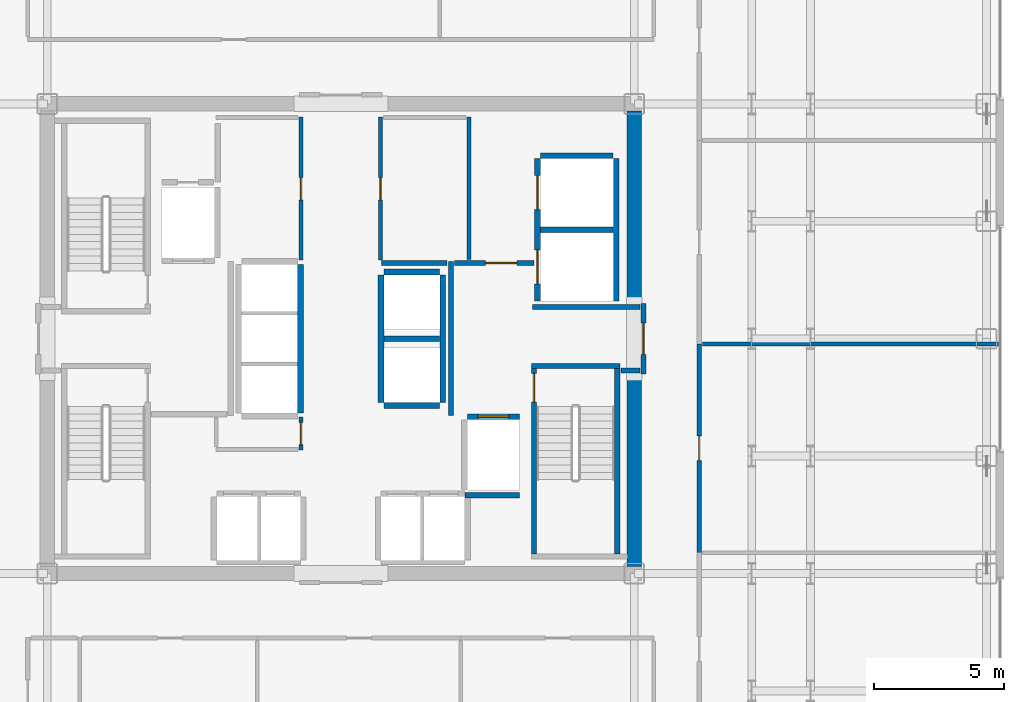
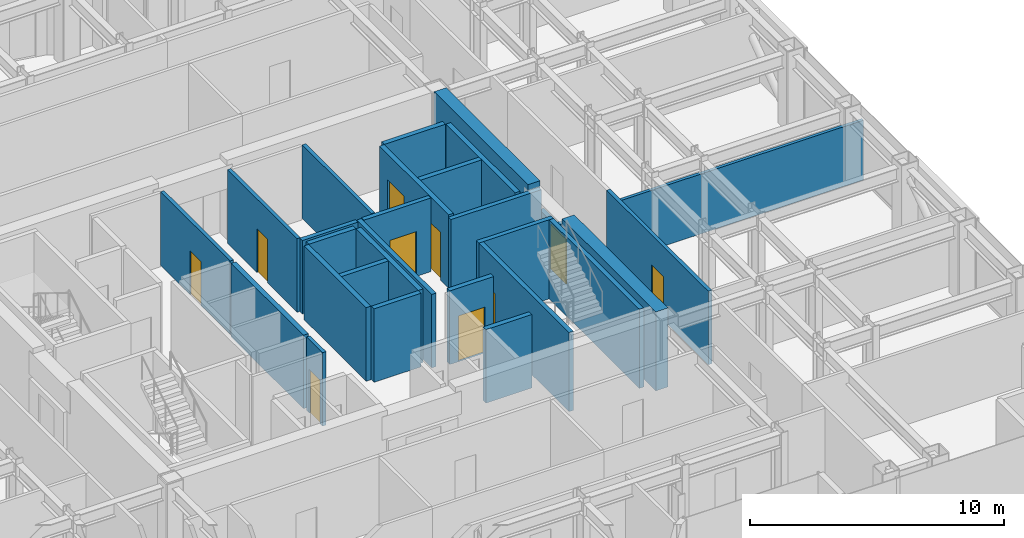
# One storey, part 21 of 25: 29 walls, 10 doors, 10 openings.
"""IFC4 building model written with IfcOpenShell, lengths in metres."""

from ifc_helpers import new_model, si_unit, direction, frame, frame_2d, origin, place, context, subcontext, project, spatial, rectangle, extrude, source, transform, mapped, material, layer, layer_set, type_object, element, fill, save


model = new_model("IFC4")

# Units and contexts
model_context = context("Model", 3, precision=1e-05, world=origin(), true_north=direction((0.0, 1.0)))
body_context = subcontext(model_context, "Body", "Model", "MODEL_VIEW")
ifc_project = project(units=[si_unit("LENGTHUNIT", "METRE"), si_unit("AREAUNIT", "SQUARE_METRE"), si_unit("VOLUMEUNIT", "CUBIC_METRE"), si_unit("PLANEANGLEUNIT", "RADIAN"), si_unit("MASSUNIT", "GRAM", prefix="KILO")], contexts=[model_context])

# Site, building, storey
site_placement = place(None, origin())
site = spatial("IfcSite", under=ifc_project, at=site_placement, CompositionType="ELEMENT")
building_placement = place(site_placement, origin())
building = spatial("IfcBuilding", under=site, at=building_placement, Name="Nefas-Gora Pilgrimage Tower", CompositionType="ELEMENT")
storey_placement = place(building_placement, frame((0.0, 0.0, 194.39990234375)))
storey = spatial("IfcBuildingStorey", under=building, at=storey_placement, Name="L48", CompositionType="ELEMENT", Elevation=194.39990234375)

# Walls
ifc_material_1 = material(Name="Concrete C60/75", Category="concrete")
ifc_layer_1 = layer(ifc_material_1, 0.550048828125)
ifc_layer_set_1 = layer_set([ifc_layer_1], Name="Concrete C60/75")
wall_type_1 = type_object("IfcWallType", Name="SW-CORE-550", PredefinedType="SHEAR", material=ifc_layer_set_1)
shared_shape_1 = source(origin(), body_context, "Body", "SweptSolid", [
    extrude(rectangle(XDim=7.375, YDim=0.550048828125, at=frame_2d((3.6875, 0.0))), origin(), (0.0, 0.0, 1.0), 3.800048828125),
])
for number, where, z_axis, x_axis, name in (
    (1, (11.25, -8.72509765625, 0.0), (0.0, 0.0, 1.0), (0.0, 1.0, 0.0), "L48 Core Shear Wall E-South"),
    (2, (11.25, 1.35009765625, 0.0), (0.0, 0.0, 1.0), (0.0, 1.0, 0.0), "L48 Core Shear Wall E-North"),
):
    element("IfcWall", number, at=place(storey_placement, frame(where, z_axis=z_axis, x_axis=x_axis)), inside=storey, type_object=wall_type_1, Name=name, PredefinedType="SHEAR", context=body_context, shape_type="MappedRepresentation", body=[
        mapped(shared_shape_1, transform((0.0, 0.0, 0.0), x_axis=(1.0, 0.0, 0.0), y_axis=(0.0, 1.0, 0.0), z_axis=(0.0, 0.0, 1.0), scale=1.0)),
    ])
ifc_material_2 = material(Name="Concrete C45/55", Category="concrete")
ifc_layer_2 = layer(ifc_material_2, 0.199951171875)
ifc_layer_set_2 = layer_set([ifc_layer_2], Name="Concrete C45/55")
wall_type_2 = type_object("IfcWallType", Name="IW-STAIR-200", PredefinedType="SOLIDWALL", material=ifc_layer_set_2)
shared_shape_2 = source(origin(), body_context, "Body", "SweptSolid", [
    extrude(rectangle(XDim=3.39990234375, YDim=0.199951171875, at=frame_2d((1.699951171875, 0.0))), origin(), (0.0, 0.0, 1.0), 3.800048828125),
])
wall_1_placement = place(storey_placement, frame((7.300048828125, -1.050048828125, 0.0), z_axis=(0.0, 0.0, 1.0), x_axis=(1.0, 0.0, 0.0)))
element("IfcWall", 3, at=wall_1_placement, inside=storey, type_object=wall_type_2, Name="L48 Stairwell Shear Wall ST-02-near", PredefinedType="SOLIDWALL", context=body_context, shape_type="MappedRepresentation", body=[
    mapped(shared_shape_2, transform((0.0, 0.0, 0.0), x_axis=(1.0, 0.0, 0.0), y_axis=(0.0, 1.0, 0.0), z_axis=(0.0, 0.0, 1.0), scale=1.0)),
])

# Wall, opening, door
shared_shape_3 = source(origin(), body_context, "Body", "SweptSolid", [
    extrude(rectangle(XDim=7.10009765625, YDim=0.199951171875, at=frame_2d((3.550048828125, 0.0))), origin(), (0.0, 0.0, 1.0), 3.800048828125),
])
wall_2_placement = place(storey_placement, frame((7.39990234375, -1.14990234375, 0.0), z_axis=(0.0, 0.0, 1.0), x_axis=(0.0, -1.0, 0.0)))
wall_2 = element("IfcWall", 4, at=wall_2_placement, inside=storey, type_object=wall_type_2, Name="L48 Stairwell Shear Wall ST-02-left", PredefinedType="SOLIDWALL", context=body_context, shape_type="MappedRepresentation", body=[
    mapped(shared_shape_3, transform((0.0, 0.0, 0.0), x_axis=(1.0, 0.0, 0.0), y_axis=(0.0, 1.0, 0.0), z_axis=(0.0, 0.0, 1.0), scale=1.0)),
])
opening_1_placement = place(wall_2_placement, frame((0.179931640625, 0.0, 0.0)))
opening_1 = element("IfcOpeningElement", 5, at=opening_1_placement, cuts=wall_2, Name="Opening ID-ST1", PredefinedType="OPENING", context=body_context, shape_type="SweptSolid", body=[
    extrude(rectangle(XDim=1.10009765625, YDim=2.14990234375, at=frame_2d((0.550048828125, 1.074951171875))), frame((0.0, 0.10986328125, 0.0), z_axis=(0.0, -1.0, 0.0), x_axis=(1.0, 0.0, 0.0)), (0.0, 0.0, 1.0), 0.219970703125),
])
ifc_material_3 = material(Name="Painted galvanised steel fire stair door", Category="steel")
door_type_1 = type_object("IfcDoorType", Name="DR-INT-STAIR-1100", OperationType="NOTDEFINED", PredefinedType="DOOR", material=ifc_material_3)
shared_shape_4 = source(origin(), body_context, "Body", "SweptSolid", [
    extrude(rectangle(XDim=1.10009765625, YDim=2.14990234375, at=frame_2d((0.550048828125, 1.074951171875))), frame((0.0, 0.02490234375, 0.0), z_axis=(0.0, -1.0, 0.0), x_axis=(1.0, 0.0, 0.0)), (0.0, 0.0, 1.0), 0.050048828125),
])
door_1_placement = place(opening_1_placement, origin())
door_1 = element("IfcDoor", 6, at=door_1_placement, inside=storey, type_object=door_type_1, Name="L48 Protected Exit Stair Door ST-02", OperationType="SINGLE_SWING_LEFT", OverallHeight=2.14990234375, OverallWidth=1.10009765625, PredefinedType="DOOR", context=body_context, shape_type="MappedRepresentation", body=[
    mapped(shared_shape_4, transform((0.0, 0.0, 0.0), x_axis=(1.0, 0.0, 0.0), y_axis=(0.0, 1.0, 0.0), z_axis=(0.0, 0.0, 1.0), scale=1.0)),
])
fill(opening_1, door_1)

# Wall
wall_3_placement = place(storey_placement, frame((10.60009765625, -1.14990234375, 0.0), z_axis=(0.0, 0.0, 1.0), x_axis=(0.0, -1.0, 0.0)))
element("IfcWall", 7, at=wall_3_placement, inside=storey, type_object=wall_type_2, Name="L48 Stairwell Shear Wall ST-02-right", PredefinedType="SOLIDWALL", context=body_context, shape_type="MappedRepresentation", body=[
    mapped(shared_shape_3, transform((0.0, 0.0, 0.0), x_axis=(1.0, 0.0, 0.0), y_axis=(0.0, 1.0, 0.0), z_axis=(0.0, 0.0, 1.0), scale=1.0)),
])

# Wall, opening, door
ifc_material_4 = material(Name="Concrete C40/50", Category="concrete")
ifc_layer_3 = layer(ifc_material_4, 0.219970703125)
ifc_layer_set_3 = layer_set([ifc_layer_3], Name="Concrete C40/50")
wall_type_3 = type_object("IfcWallType", Name="IW-SHAFT-220", PredefinedType="SOLIDWALL", material=ifc_layer_set_3)
shared_shape_5 = source(origin(), body_context, "Body", "SweptSolid", [
    extrude(rectangle(XDim=2.0, YDim=0.219970703125, at=frame_2d((1.0, 0.0))), origin(), (0.0, 0.0, 1.0), 3.53515625),
])
wall_4_placement = place(storey_placement, frame((6.85009765625, -2.989990234375, 0.0), z_axis=(0.0, 0.0, 1.0), x_axis=(-1.0, 0.0, 0.0)))
wall_4 = element("IfcWall", 8, at=wall_4_placement, inside=storey, type_object=wall_type_3, Name="L48 Hoistway Wall FFL-02-N", PredefinedType="SOLIDWALL", context=body_context, shape_type="MappedRepresentation", body=[
    mapped(shared_shape_5, transform((0.0, 0.0, 0.0), x_axis=(1.0, 0.0, 0.0), y_axis=(0.0, 1.0, 0.0), z_axis=(0.0, 0.0, 1.0), scale=1.0)),
])
opening_2_placement = place(wall_4_placement, frame((0.39990234375, 0.0, 0.0)))
opening_2 = element("IfcOpeningElement", 9, at=opening_2_placement, cuts=wall_4, Name="Opening LD-FF", PredefinedType="OPENING", context=body_context, shape_type="SweptSolid", body=[
    extrude(rectangle(XDim=1.199951171875, YDim=2.199951171875, at=frame_2d((0.60009765625, 1.10009765625))), frame((0.0, 0.119873046875, 0.0), z_axis=(0.0, -1.0, 0.0), x_axis=(1.0, 0.0, 0.0)), (0.0, 0.0, 1.0), 0.239990234375),
])
ifc_material_5 = material(Name="Fire-service sliding lift landing door")
door_type_2 = type_object("IfcDoorType", Name="DR-LIFT-FSAE-1200", OperationType="SLIDING_TO_LEFT", PredefinedType="DOOR", material=ifc_material_5)
shared_shape_6 = source(origin(), body_context, "Body", "SweptSolid", [
    extrude(rectangle(XDim=1.199951171875, YDim=2.199951171875, at=frame_2d((0.60009765625, 1.10009765625))), frame((0.0, 0.02490234375, 0.0), z_axis=(0.0, -1.0, 0.0), x_axis=(1.0, 0.0, 0.0)), (0.0, 0.0, 1.0), 0.050048828125),
])
door_2_placement = place(opening_2_placement, origin())
door_2 = element("IfcDoor", 10, at=door_2_placement, inside=storey, type_object=door_type_2, Name="L48 Sliding Lift Landing Door FFL-02", OperationType="SLIDING_TO_LEFT", OverallHeight=2.199951171875, OverallWidth=1.199951171875, PredefinedType="DOOR", context=body_context, shape_type="MappedRepresentation", body=[
    mapped(shared_shape_6, transform((0.0, 0.0, 0.0), x_axis=(1.0, 0.0, 0.0), y_axis=(0.0, 1.0, 0.0), z_axis=(0.0, 0.0, 1.0), scale=1.0)),
])
fill(opening_2, door_2)

# Wall, openings, doors
shared_shape_7 = source(origin(), body_context, "Body", "SweptSolid", [
    extrude(rectangle(XDim=5.449951171875, YDim=0.219970703125, at=frame_2d((2.72509765625, 0.0))), origin(), (0.0, 0.0, 1.0), 3.53515625),
])
wall_5_placement = place(storey_placement, frame((7.5400390625, 6.89990234375, 0.0), z_axis=(0.0, 0.0, 1.0), x_axis=(0.0, -1.0, 0.0)))
wall_5 = element("IfcWall", 11, at=wall_5_placement, inside=storey, type_object=wall_type_3, Name="L48 Hoistway Wall SL-01-02-W", PredefinedType="SOLIDWALL", context=body_context, shape_type="MappedRepresentation", body=[
    mapped(shared_shape_7, transform((0.0, 0.0, 0.0), x_axis=(1.0, 0.0, 0.0), y_axis=(0.0, 1.0, 0.0), z_axis=(0.0, 0.0, 1.0), scale=1.0)),
])
opening_3_placement = place(wall_5_placement, frame((3.5, 0.0, 0.0)))
opening_3 = element("IfcOpeningElement", 12, at=opening_3_placement, cuts=wall_5, Name="Opening LD-SV", PredefinedType="OPENING", context=body_context, shape_type="SweptSolid", body=[
    extrude(rectangle(XDim=1.300048828125, YDim=2.300048828125, at=frame_2d((0.64990234375, 1.14990234375))), frame((0.0, 0.119873046875, 0.0), z_axis=(0.0, -1.0, 0.0), x_axis=(1.0, 0.0, 0.0)), (0.0, 0.0, 1.0), 0.239990234375),
])
opening_4_placement = place(wall_5_placement, frame((0.64990234375, 0.0, 0.0)))
opening_4 = element("IfcOpeningElement", 13, at=opening_4_placement, cuts=wall_5, Name="Opening LD-SV", PredefinedType="OPENING", context=body_context, shape_type="SweptSolid", body=[
    extrude(rectangle(XDim=1.300048828125, YDim=2.300048828125, at=frame_2d((0.64990234375, 1.14990234375))), frame((0.0, 0.119873046875, 0.0), z_axis=(0.0, -1.0, 0.0), x_axis=(1.0, 0.0, 0.0)), (0.0, 0.0, 1.0), 0.239990234375),
])
ifc_material_6 = material(Name="Heavy goods sliding lift landing door")
door_type_3 = type_object("IfcDoorType", Name="DR-LIFT-SERV-1300", OperationType="SLIDING_TO_RIGHT", PredefinedType="DOOR", material=ifc_material_6)
shared_shape_8 = source(origin(), body_context, "Body", "SweptSolid", [
    extrude(rectangle(XDim=1.300048828125, YDim=2.300048828125, at=frame_2d((0.64990234375, 1.14990234375))), frame((0.0, 0.02490234375, 0.0), z_axis=(0.0, -1.0, 0.0), x_axis=(1.0, 0.0, 0.0)), (0.0, 0.0, 1.0), 0.050048828125),
])
door_3_placement = place(opening_3_placement, origin())
door_3 = element("IfcDoor", 14, at=door_3_placement, inside=storey, type_object=door_type_3, Name="L48 Sliding Lift Landing Door SL-01", OperationType="SLIDING_TO_RIGHT", OverallHeight=2.300048828125, OverallWidth=1.300048828125, PredefinedType="DOOR", context=body_context, shape_type="MappedRepresentation", body=[
    mapped(shared_shape_8, transform((0.0, 0.0, 0.0), x_axis=(1.0, 0.0, 0.0), y_axis=(0.0, 1.0, 0.0), z_axis=(0.0, 0.0, 1.0), scale=1.0)),
])
fill(opening_3, door_3)
door_4_placement = place(opening_4_placement, origin())
door_4 = element("IfcDoor", 15, at=door_4_placement, inside=storey, type_object=door_type_3, Name="L48 Sliding Lift Landing Door SL-02", OperationType="SLIDING_TO_RIGHT", OverallHeight=2.300048828125, OverallWidth=1.300048828125, PredefinedType="DOOR", context=body_context, shape_type="MappedRepresentation", body=[
    mapped(shared_shape_8, transform((0.0, 0.0, 0.0), x_axis=(1.0, 0.0, 0.0), y_axis=(0.0, 1.0, 0.0), z_axis=(0.0, 0.0, 1.0), scale=1.0)),
])
fill(opening_4, door_4)

# Walls
wall_6_placement = place(storey_placement, frame((10.56005859375, 1.449951171875, 0.0), z_axis=(0.0, 0.0, 1.0), x_axis=(0.0, 1.0, 0.0)))
element("IfcWall", 16, at=wall_6_placement, inside=storey, type_object=wall_type_3, Name="L48 Hoistway Wall SL-01-02-E", PredefinedType="SOLIDWALL", context=body_context, shape_type="MappedRepresentation", body=[
    mapped(shared_shape_7, transform((0.0, 0.0, 0.0), x_axis=(1.0, 0.0, 0.0), y_axis=(0.0, 1.0, 0.0), z_axis=(0.0, 0.0, 1.0), scale=1.0)),
])
shared_shape_9 = source(origin(), body_context, "Body", "SweptSolid", [
    extrude(rectangle(XDim=2.780029296875, YDim=0.219970703125, at=frame_2d((1.39013671875, 0.0))), origin(), (0.0, 0.0, 1.0), 3.53515625),
])
for number, where, z_axis, x_axis, name in (
    (17, (7.659912109375, 4.175048828125, 0.0), (0.0, 0.0, 1.0), (1.0, 0.0, 0.0), "L48 Hoistway Wall SL-01-02-DIV"),
    (18, (10.43994140625, 7.010009765625, 0.0), (0.0, 0.0, 1.0), (-1.0, 0.0, 0.0), "L48 Hoistway Wall SL-02-N"),
):
    element("IfcWall", number, at=place(storey_placement, frame(where, z_axis=z_axis, x_axis=x_axis)), inside=storey, type_object=wall_type_3, Name=name, PredefinedType="SOLIDWALL", context=body_context, shape_type="MappedRepresentation", body=[
        mapped(shared_shape_9, transform((0.0, 0.0, 0.0), x_axis=(1.0, 0.0, 0.0), y_axis=(0.0, 1.0, 0.0), z_axis=(0.0, 0.0, 1.0), scale=1.0)),
    ])
shared_shape_10 = source(origin(), body_context, "Body", "SweptSolid", [
    extrude(rectangle(XDim=5.7001953125, YDim=0.219970703125, at=frame_2d((2.85009765625, 0.0))), origin(), (0.0, 0.0, 1.0), 3.53515625),
])
wall_7_placement = place(storey_placement, frame((-1.5400390625, -2.85009765625, 0.0), z_axis=(0.0, 0.0, 1.0), x_axis=(0.0, 1.0, 0.0)))
element("IfcWall", 19, at=wall_7_placement, inside=storey, type_object=wall_type_3, Name="L48 Hoistway Wall PL3-01-03-E", PredefinedType="SOLIDWALL", context=body_context, shape_type="MappedRepresentation", body=[
    mapped(shared_shape_10, transform((0.0, 0.0, 0.0), x_axis=(1.0, 0.0, 0.0), y_axis=(0.0, 1.0, 0.0), z_axis=(0.0, 0.0, 1.0), scale=1.0)),
])
shared_shape_11 = source(origin(), body_context, "Body", "SweptSolid", [
    extrude(rectangle(XDim=2.130126953125, YDim=0.219970703125, at=frame_2d((1.06494140625, 0.0))), origin(), (0.0, 0.0, 1.0), 3.53515625),
])
for number, where, z_axis, x_axis, name in (
    (20, (1.659912109375, -2.56005859375, 0.0), (0.0, 0.0, 1.0), (1.0, 0.0, 0.0), "L48 Hoistway Wall OBS-01-S"),
    (21, (1.659912109375, 0.0, 0.0), (0.0, 0.0, 1.0), (1.0, 0.0, 0.0), "L48 Hoistway Wall OBS-01-02-DIV"),
    (22, (3.7900390625, 2.56005859375, 0.0), (0.0, 0.0, 1.0), (-1.0, 0.0, 0.0), "L48 Hoistway Wall OBS-02-N"),
):
    element("IfcWall", number, at=place(storey_placement, frame(where, z_axis=z_axis, x_axis=x_axis)), inside=storey, type_object=wall_type_3, Name=name, PredefinedType="SOLIDWALL", context=body_context, shape_type="MappedRepresentation", body=[
        mapped(shared_shape_11, transform((0.0, 0.0, 0.0), x_axis=(1.0, 0.0, 0.0), y_axis=(0.0, 1.0, 0.0), z_axis=(0.0, 0.0, 1.0), scale=1.0)),
    ])
shared_shape_12 = source(origin(), body_context, "Body", "SweptSolid", [
    extrude(rectangle(XDim=4.89990234375, YDim=0.219970703125, at=frame_2d((2.449951171875, 0.0))), origin(), (0.0, 0.0, 1.0), 3.53515625),
])
for number, where, z_axis, x_axis, name in (
    (23, (1.5400390625, 2.449951171875, 0.0), (0.0, 0.0, 1.0), (0.0, -1.0, 0.0), "L48 Hoistway Wall OBS-01-02-W"),
    (24, (3.909912109375, -2.449951171875, 0.0), (0.0, 0.0, 1.0), (0.0, 1.0, 0.0), "L48 Hoistway Wall OBS-01-02-E"),
):
    element("IfcWall", number, at=place(storey_placement, frame(where, z_axis=z_axis, x_axis=x_axis)), inside=storey, type_object=wall_type_3, Name=name, PredefinedType="SOLIDWALL", context=body_context, shape_type="MappedRepresentation", body=[
        mapped(shared_shape_12, transform((0.0, 0.0, 0.0), x_axis=(1.0, 0.0, 0.0), y_axis=(0.0, 1.0, 0.0), z_axis=(0.0, 0.0, 1.0), scale=1.0)),
    ])

# Wall, opening, door
ifc_material_7 = material(Name="Gypsum fire-rated shaftwall")
ifc_layer_4 = layer(ifc_material_7, 0.199951171875)
ifc_layer_set_4 = layer_set([ifc_layer_4], Name="Gypsum fire-rated shaftwall")
wall_type_4 = type_object("IfcWallType", Name="IW-FFLOB-200", PredefinedType="PARTITIONING", material=ifc_layer_set_4)
shared_shape_13 = source(origin(), body_context, "Body", "SweptSolid", [
    extrude(rectangle(XDim=2.7001953125, YDim=0.199951171875, at=frame_2d((1.35009765625, 0.0))), origin(), (0.0, 0.0, 1.0), 2.425048828125),
])
wall_8_placement = place(storey_placement, frame((11.60009765625, -1.35009765625, 0.0), z_axis=(0.0, 0.0, 1.0), x_axis=(0.0, 1.0, 0.0)))
wall_8 = element("IfcWall", 25, at=wall_8_placement, inside=storey, type_object=wall_type_4, Name="L48 FF Lobby East Portal Wall 9", PredefinedType="PARTITIONING", context=body_context, shape_type="MappedRepresentation", body=[
    mapped(shared_shape_13, transform((0.0, 0.0, 0.0), x_axis=(1.0, 0.0, 0.0), y_axis=(0.0, 1.0, 0.0), z_axis=(0.0, 0.0, 1.0), scale=1.0)),
])
opening_5_placement = place(wall_8_placement, frame((0.75, 0.0, 0.0)))
opening_5 = element("IfcOpeningElement", 26, at=opening_5_placement, cuts=wall_8, Name="Opening ID-FF1", PredefinedType="OPENING", context=body_context, shape_type="SweptSolid", body=[
    extrude(rectangle(XDim=1.199951171875, YDim=2.14990234375, at=frame_2d((0.60009765625, 1.074951171875))), frame((0.0, 0.10986328125, 0.0), z_axis=(0.0, -1.0, 0.0), x_axis=(1.0, 0.0, 0.0)), (0.0, 0.0, 1.0), 0.219970703125),
])
ifc_material_8 = material(Name="Smoke-sealed steel firefighting lobby door", Category="steel")
door_type_4 = type_object("IfcDoorType", Name="DR-INT-FFLOB-1200", OperationType="NOTDEFINED", PredefinedType="DOOR", material=ifc_material_8)
shared_shape_14 = source(origin(), body_context, "Body", "SweptSolid", [
    extrude(rectangle(XDim=1.199951171875, YDim=2.14990234375, at=frame_2d((0.60009765625, 1.074951171875))), frame((0.0, 0.02490234375, 0.0), z_axis=(0.0, -1.0, 0.0), x_axis=(1.0, 0.0, 0.0)), (0.0, 0.0, 1.0), 0.050048828125),
])
door_5_placement = place(opening_5_placement, origin())
door_5 = element("IfcDoor", 27, at=door_5_placement, inside=storey, type_object=door_type_4, Name="L48 FF Lobby East Portal Door 3", OperationType="SINGLE_SWING_RIGHT", OverallHeight=2.14990234375, OverallWidth=1.199951171875, PredefinedType="DOOR", context=body_context, shape_type="MappedRepresentation", body=[
    mapped(shared_shape_14, transform((0.0, 0.0, 0.0), x_axis=(1.0, 0.0, 0.0), y_axis=(0.0, 1.0, 0.0), z_axis=(0.0, 0.0, 1.0), scale=1.0)),
])
fill(opening_5, door_5)

# Walls
shared_shape_15 = source(origin(), body_context, "Body", "SweptSolid", [
    extrude(rectangle(XDim=2.09521484375, YDim=0.219970703125, at=frame_2d((1.047607421875, 0.0))), origin(), (0.0, 0.0, 1.0), 3.53515625),
])
wall_9_placement = place(storey_placement, frame((4.7548828125, -6.0, 0.0), z_axis=(0.0, 0.0, 1.0), x_axis=(1.0, 0.0, 0.0)))
element("IfcWall", 28, at=wall_9_placement, inside=storey, type_object=wall_type_3, Name="L48 Riser Shaft Wall 3", PredefinedType="SOLIDWALL", context=body_context, shape_type="MappedRepresentation", body=[
    mapped(shared_shape_15, transform((0.0, 0.0, 0.0), x_axis=(1.0, 0.0, 0.0), y_axis=(0.0, 1.0, 0.0), z_axis=(0.0, 0.0, 1.0), scale=1.0)),
])
shared_shape_16 = source(origin(), body_context, "Body", "SweptSolid", [
    extrude(rectangle(XDim=5.89990234375, YDim=0.199951171875, at=frame_2d((2.949951171875, 0.0))), origin(), (0.0, 0.0, 1.0), 3.53515625),
])
wall_10_placement = place(storey_placement, frame((4.219970703125, -2.949951171875, 0.0), z_axis=(0.0, 0.0, 1.0), x_axis=(0.0, 1.0, 0.0)))
element("IfcWall", 29, at=wall_10_placement, inside=storey, type_object=wall_type_4, Name="L48 FF Lobby East Inner Wall Wall 10", PredefinedType="PARTITIONING", context=body_context, shape_type="MappedRepresentation", body=[
    mapped(shared_shape_16, transform((0.0, 0.0, 0.0), x_axis=(1.0, 0.0, 0.0), y_axis=(0.0, 1.0, 0.0), z_axis=(0.0, 0.0, 1.0), scale=1.0)),
])
shared_shape_17 = source(origin(), body_context, "Body", "SweptSolid", [
    extrude(rectangle(XDim=0.719970703125, YDim=0.199951171875, at=frame_2d((0.35986328125, 0.0))), origin(), (0.0, 0.0, 1.0), 3.53515625),
])
wall_11_placement = place(storey_placement, frame((10.739990234375, -1.219970703125, 0.0), z_axis=(0.0, 0.0, 1.0), x_axis=(1.0, 0.0, 0.0)))
element("IfcWall", 30, at=wall_11_placement, inside=storey, type_object=wall_type_4, Name="L48 FF Lobby East Throat S Wall 14", PredefinedType="PARTITIONING", context=body_context, shape_type="MappedRepresentation", body=[
    mapped(shared_shape_17, transform((0.0, 0.0, 0.0), x_axis=(1.0, 0.0, 0.0), y_axis=(0.0, 1.0, 0.0), z_axis=(0.0, 0.0, 1.0), scale=1.0)),
])

# Wall, opening, door
shared_shape_18 = source(origin(), body_context, "Body", "SweptSolid", [
    extrude(rectangle(XDim=3.039794921875, YDim=0.199951171875, at=frame_2d((1.52001953125, 0.0))), origin(), (0.0, 0.0, 1.0), 3.53515625),
])
wall_12_placement = place(storey_placement, frame((4.360107421875, 2.89990234375, 0.0), z_axis=(0.0, 0.0, 1.0), x_axis=(1.0, 0.0, 0.0)))
wall_12 = element("IfcWall", 31, at=wall_12_placement, inside=storey, type_object=wall_type_4, Name="L48 FF Lobby East North Wall Wall 12", PredefinedType="PARTITIONING", context=body_context, shape_type="MappedRepresentation", body=[
    mapped(shared_shape_18, transform((0.0, 0.0, 0.0), x_axis=(1.0, 0.0, 0.0), y_axis=(0.0, 1.0, 0.0), z_axis=(0.0, 0.0, 1.0), scale=1.0)),
])
opening_6_placement = place(wall_12_placement, frame((1.18994140625, 0.0, 0.0)))
opening_6 = element("IfcOpeningElement", 32, at=opening_6_placement, cuts=wall_12, Name="Opening ID-PL1", PredefinedType="OPENING", context=body_context, shape_type="SweptSolid", body=[
    extrude(rectangle(XDim=1.199951171875, YDim=2.14990234375, at=frame_2d((0.60009765625, 1.074951171875))), frame((0.0, 0.10986328125, 0.0), z_axis=(0.0, -1.0, 0.0), x_axis=(1.0, 0.0, 0.0)), (0.0, 0.0, 1.0), 0.219970703125),
])
ifc_material_9 = material(Name="Heavy-duty steel plant room fire door", Category="steel")
door_type_5 = type_object("IfcDoorType", Name="DR-INT-PLANT-1200", OperationType="NOTDEFINED", PredefinedType="DOOR", material=ifc_material_9)
door_6_placement = place(opening_6_placement, origin())
door_6 = element("IfcDoor", 33, at=door_6_placement, inside=storey, type_object=door_type_5, Name="L48 Service Lift Lobby Door Door 4", OperationType="SINGLE_SWING_LEFT", OverallHeight=2.14990234375, OverallWidth=1.199951171875, PredefinedType="DOOR", context=body_context, shape_type="MappedRepresentation", body=[
    mapped(shared_shape_14, transform((0.0, 0.0, 0.0), x_axis=(1.0, 0.0, 0.0), y_axis=(0.0, 1.0, 0.0), z_axis=(0.0, 0.0, 1.0), scale=1.0)),
])
fill(opening_6, door_6)

# Wall
shared_shape_19 = source(origin(), body_context, "Body", "SweptSolid", [
    extrude(rectangle(XDim=4.10986328125, YDim=0.199951171875, at=frame_2d((2.054931640625, 0.0))), origin(), (0.0, 0.0, 1.0), 3.53515625),
])
wall_13_placement = place(storey_placement, frame((7.35009765625, 1.219970703125, 0.0), z_axis=(0.0, 0.0, 1.0), x_axis=(1.0, 0.0, 0.0)))
element("IfcWall", 34, at=wall_13_placement, inside=storey, type_object=wall_type_4, Name="L48 FF Lobby East Throat N Wall 13", PredefinedType="PARTITIONING", context=body_context, shape_type="MappedRepresentation", body=[
    mapped(shared_shape_19, transform((0.0, 0.0, 0.0), x_axis=(1.0, 0.0, 0.0), y_axis=(0.0, 1.0, 0.0), z_axis=(0.0, 0.0, 1.0), scale=1.0)),
])

# Wall, opening, door
ifc_material_10 = material(Name="Gypsum acoustic stud partition")
ifc_layer_5 = layer(ifc_material_10, 0.159912109375)
ifc_layer_set_5 = layer_set([ifc_layer_5], Name="Gypsum acoustic stud partition")
wall_type_5 = type_object("IfcWallType", Name="IW-CORR-160", PredefinedType="PARTITIONING", material=ifc_layer_set_5)
shared_shape_20 = source(origin(), body_context, "Body", "SweptSolid", [
    extrude(rectangle(XDim=1.25, YDim=0.159912109375, at=frame_2d((0.625, 0.0))), origin(), (0.0, 0.0, 1.0), 3.53515625),
])
wall_14_placement = place(storey_placement, frame((-1.52001953125, -4.260009765625, 0.0), z_axis=(0.0, 0.0, 1.0), x_axis=(0.0, 1.0, 0.0)))
wall_14 = element("IfcWall", 35, at=wall_14_placement, inside=storey, type_object=wall_type_5, Name="L48 Pilgrim Baggage and Gear Vault Wall 20", PredefinedType="PARTITIONING", context=body_context, shape_type="MappedRepresentation", body=[
    mapped(shared_shape_20, transform((0.0, 0.0, 0.0), x_axis=(1.0, 0.0, 0.0), y_axis=(0.0, 1.0, 0.0), z_axis=(0.0, 0.0, 1.0), scale=1.0)),
])
opening_7_placement = place(wall_14_placement, frame((0.199951171875, 0.0, 0.0)))
opening_7 = element("IfcOpeningElement", 36, at=opening_7_placement, cuts=wall_14, Name="Opening ID-BT1", PredefinedType="OPENING", context=body_context, shape_type="SweptSolid", body=[
    extrude(rectangle(XDim=0.85009765625, YDim=2.10009765625, at=frame_2d((0.425048828125, 1.050048828125))), frame((0.0, 0.08984375, 0.0), z_axis=(0.0, -1.0, 0.0), x_axis=(1.0, 0.0, 0.0)), (0.0, 0.0, 1.0), 0.179931640625),
])
ifc_material_11 = material(Name="Moisture-resistant fire-rated timber door", Category="wood")
door_type_6 = type_object("IfcDoorType", Name="DR-INT-BATH-850", OperationType="NOTDEFINED", PredefinedType="DOOR", material=ifc_material_11)
shared_shape_21 = source(origin(), body_context, "Body", "SweptSolid", [
    extrude(rectangle(XDim=0.85009765625, YDim=2.10009765625, at=frame_2d((0.425048828125, 1.050048828125))), frame((0.0, 0.02490234375, 0.0), z_axis=(0.0, -1.0, 0.0), x_axis=(1.0, 0.0, 0.0)), (0.0, 0.0, 1.0), 0.050048828125),
])
door_7_placement = place(opening_7_placement, origin())
door_7 = element("IfcDoor", 37, at=door_7_placement, inside=storey, type_object=door_type_6, Name="L48 Pilgrim Baggage and Gear Vault Door 8", OperationType="SINGLE_SWING_LEFT", OverallHeight=2.10009765625, OverallWidth=0.85009765625, PredefinedType="DOOR", context=body_context, shape_type="MappedRepresentation", body=[
    mapped(shared_shape_21, transform((0.0, 0.0, 0.0), x_axis=(1.0, 0.0, 0.0), y_axis=(0.0, 1.0, 0.0), z_axis=(0.0, 0.0, 1.0), scale=1.0)),
])
fill(opening_7, door_7)

# Walls
ifc_material_12 = material(Name="Gypsum twin-stud partition")
ifc_layer_6 = layer(ifc_material_12, 0.139892578125)
ifc_layer_set_6 = layer_set([ifc_layer_6], Name="Gypsum twin-stud partition")
wall_type_6 = type_object("IfcWallType", Name="IW-UNIT-140", PredefinedType="PARTITIONING", material=ifc_layer_set_6)
shared_shape_22 = source(origin(), body_context, "Body", "SweptSolid", [
    extrude(rectangle(XDim=11.429931640625, YDim=0.139892578125, at=frame_2d((5.71484375, 0.0))), origin(), (0.0, 0.0, 1.0), 2.875),
])
wall_15_placement = place(storey_placement, frame((13.860107421875, -0.205078125, 0.0), z_axis=(0.0, 0.0, 1.0), x_axis=(1.0, 0.0, 0.0)))
element("IfcWall", 38, at=wall_15_placement, inside=storey, type_object=wall_type_6, Name="L48 Pilgrim Contemplative Lounge Partition Wall 38", PredefinedType="PARTITIONING", context=body_context, shape_type="MappedRepresentation", body=[
    mapped(shared_shape_22, transform((0.0, 0.0, 0.0), x_axis=(1.0, 0.0, 0.0), y_axis=(0.0, 1.0, 0.0), z_axis=(0.0, 0.0, 1.0), scale=1.0)),
])
shared_shape_23 = source(origin(), body_context, "Body", "SweptSolid", [
    extrude(rectangle(XDim=2.52001953125, YDim=0.199951171875, at=frame_2d((1.260009765625, 0.0))), origin(), (0.0, 0.0, 1.0), 3.53515625),
])
wall_16_placement = place(storey_placement, frame((1.56005859375, 2.89990234375, 0.0), z_axis=(0.0, 0.0, 1.0), x_axis=(1.0, 0.0, 0.0)))
element("IfcWall", 39, at=wall_16_placement, inside=storey, type_object=wall_type_4, Name="L48 FF Lobby East North Wall Wall 11", PredefinedType="PARTITIONING", context=body_context, shape_type="MappedRepresentation", body=[
    mapped(shared_shape_23, transform((0.0, 0.0, 0.0), x_axis=(1.0, 0.0, 0.0), y_axis=(0.0, 1.0, 0.0), z_axis=(0.0, 0.0, 1.0), scale=1.0)),
])
shared_shape_24 = source(origin(), body_context, "Body", "SweptSolid", [
    extrude(rectangle(XDim=5.449951171875, YDim=0.159912109375, at=frame_2d((2.72509765625, 0.0))), origin(), (0.0, 0.0, 1.0), 3.53515625),
])
wall_17_placement = place(storey_placement, frame((4.919921875, 3.0400390625, 0.0), z_axis=(0.0, 0.0, 1.0), x_axis=(0.0, 1.0, 0.0)))
element("IfcWall", 40, at=wall_17_placement, inside=storey, type_object=wall_type_5, Name="L48 Service Lift Lobby West Wall Wall 17", PredefinedType="PARTITIONING", context=body_context, shape_type="MappedRepresentation", body=[
    mapped(shared_shape_24, transform((0.0, 0.0, 0.0), x_axis=(1.0, 0.0, 0.0), y_axis=(0.0, 1.0, 0.0), z_axis=(0.0, 0.0, 1.0), scale=1.0)),
])

# Wall, opening, door
shared_shape_25 = source(origin(), body_context, "Body", "SweptSolid", [
    extrude(rectangle(XDim=5.47998046875, YDim=0.159912109375, at=frame_2d((2.739990234375, 0.0))), origin(), (0.0, 0.0, 1.0), 3.53515625),
])
wall_18_placement = place(storey_placement, frame((-1.52001953125, 3.010009765625, 0.0), z_axis=(0.0, 0.0, 1.0), x_axis=(0.0, 1.0, 0.0)))
wall_18 = element("IfcWall", 41, at=wall_18_placement, inside=storey, type_object=wall_type_5, Name="L48 Housekeeping and Linen Store Wall 18", PredefinedType="PARTITIONING", context=body_context, shape_type="MappedRepresentation", body=[
    mapped(shared_shape_25, transform((0.0, 0.0, 0.0), x_axis=(1.0, 0.0, 0.0), y_axis=(0.0, 1.0, 0.0), z_axis=(0.0, 0.0, 1.0), scale=1.0)),
])
opening_8_placement = place(wall_18_placement, frame((2.31494140625, 0.0, 0.0)))
opening_8 = element("IfcOpeningElement", 42, at=opening_8_placement, cuts=wall_18, Name="Opening ID-BT1", PredefinedType="OPENING", context=body_context, shape_type="SweptSolid", body=[
    extrude(rectangle(XDim=0.85009765625, YDim=2.10009765625, at=frame_2d((0.425048828125, 1.050048828125))), frame((0.0, 0.08984375, 0.0), z_axis=(0.0, -1.0, 0.0), x_axis=(1.0, 0.0, 0.0)), (0.0, 0.0, 1.0), 0.179931640625),
])
door_8_placement = place(opening_8_placement, origin())
door_8 = element("IfcDoor", 43, at=door_8_placement, inside=storey, type_object=door_type_6, Name="L48 Housekeeping and Linen Store Door 7", OperationType="SINGLE_SWING_RIGHT", OverallHeight=2.10009765625, OverallWidth=0.85009765625, PredefinedType="DOOR", context=body_context, shape_type="MappedRepresentation", body=[
    mapped(shared_shape_21, transform((0.0, 0.0, 0.0), x_axis=(1.0, 0.0, 0.0), y_axis=(0.0, 1.0, 0.0), z_axis=(0.0, 0.0, 1.0), scale=1.0)),
])
fill(opening_8, door_8)

wall_19_placement = place(storey_placement, frame((1.52001953125, 3.010009765625, 0.0), z_axis=(0.0, 0.0, 1.0), x_axis=(0.0, 1.0, 0.0)))
wall_19 = element("IfcWall", 44, at=wall_19_placement, inside=storey, type_object=wall_type_5, Name="L48 Freed Bank-1 Amenity Supply Store Wall 23", PredefinedType="PARTITIONING", context=body_context, shape_type="MappedRepresentation", body=[
    mapped(shared_shape_25, transform((0.0, 0.0, 0.0), x_axis=(1.0, 0.0, 0.0), y_axis=(0.0, 1.0, 0.0), z_axis=(0.0, 0.0, 1.0), scale=1.0)),
])
opening_9_placement = place(wall_19_placement, frame((2.31494140625, 0.0, 0.0)))
opening_9 = element("IfcOpeningElement", 45, at=opening_9_placement, cuts=wall_19, Name="Opening ID-BT1", PredefinedType="OPENING", context=body_context, shape_type="SweptSolid", body=[
    extrude(rectangle(XDim=0.85009765625, YDim=2.10009765625, at=frame_2d((0.425048828125, 1.050048828125))), frame((0.0, 0.08984375, 0.0), z_axis=(0.0, -1.0, 0.0), x_axis=(1.0, 0.0, 0.0)), (0.0, 0.0, 1.0), 0.179931640625),
])
door_9_placement = place(opening_9_placement, origin())
door_9 = element("IfcDoor", 46, at=door_9_placement, inside=storey, type_object=door_type_6, Name="L48 Freed Bank-1 Amenity Supply Store Door 9", OperationType="SINGLE_SWING_RIGHT", OverallHeight=2.10009765625, OverallWidth=0.85009765625, PredefinedType="DOOR", context=body_context, shape_type="MappedRepresentation", body=[
    mapped(shared_shape_21, transform((0.0, 0.0, 0.0), x_axis=(1.0, 0.0, 0.0), y_axis=(0.0, 1.0, 0.0), z_axis=(0.0, 0.0, 1.0), scale=1.0)),
])
fill(opening_9, door_9)

shared_shape_26 = source(origin(), body_context, "Body", "SweptSolid", [
    extrude(rectangle(XDim=8.010009765625, YDim=0.159912109375, at=frame_2d((4.0048828125, 0.0))), origin(), (0.0, 0.0, 1.0), 3.53515625),
])
wall_20_placement = place(storey_placement, frame((13.739990234375, -8.205078125, 0.0), z_axis=(0.0, 0.0, 1.0), x_axis=(0.0, 1.0, 0.0)))
wall_20 = element("IfcWall", 47, at=wall_20_placement, inside=storey, type_object=wall_type_5, Name="L48 Pilgrim Contemplative Lounge Partition Wall 37", PredefinedType="PARTITIONING", context=body_context, shape_type="MappedRepresentation", body=[
    mapped(shared_shape_26, transform((0.0, 0.0, 0.0), x_axis=(1.0, 0.0, 0.0), y_axis=(0.0, 1.0, 0.0), z_axis=(0.0, 0.0, 1.0), scale=1.0)),
])
opening_10_placement = place(wall_20_placement, frame((3.530029296875, 0.0, 0.0)))
opening_10 = element("IfcOpeningElement", 48, at=opening_10_placement, cuts=wall_20, Name="Opening ID-GR1", PredefinedType="OPENING", context=body_context, shape_type="SweptSolid", body=[
    extrude(rectangle(XDim=0.949951171875, YDim=2.10009765625, at=frame_2d((0.47509765625, 1.050048828125))), frame((0.0, 0.08984375, 0.0), z_axis=(0.0, -1.0, 0.0), x_axis=(1.0, 0.0, 0.0)), (0.0, 0.0, 1.0), 0.179931640625),
])
ifc_material_13 = material(Name="Solid core oak fire-rated guest entrance door")
door_type_7 = type_object("IfcDoorType", Name="DR-INT-GUEST-950", OperationType="NOTDEFINED", PredefinedType="DOOR", material=ifc_material_13)
shared_shape_27 = source(origin(), body_context, "Body", "SweptSolid", [
    extrude(rectangle(XDim=0.949951171875, YDim=2.10009765625, at=frame_2d((0.47509765625, 1.050048828125))), frame((0.0, 0.02490234375, 0.0), z_axis=(0.0, -1.0, 0.0), x_axis=(1.0, 0.0, 0.0)), (0.0, 0.0, 1.0), 0.050048828125),
])
door_10_placement = place(opening_10_placement, origin())
door_10 = element("IfcDoor", 49, at=door_10_placement, inside=storey, type_object=door_type_7, Name="L48 Pilgrim Contemplative Lounge Door 16", OperationType="SINGLE_SWING_LEFT", OverallHeight=2.10009765625, OverallWidth=0.949951171875, PredefinedType="DOOR", context=body_context, shape_type="MappedRepresentation", body=[
    mapped(shared_shape_27, transform((0.0, 0.0, 0.0), x_axis=(1.0, 0.0, 0.0), y_axis=(0.0, 1.0, 0.0), z_axis=(0.0, 0.0, 1.0), scale=1.0)),
])
fill(opening_10, door_10)

save(model, "model.ifc")
